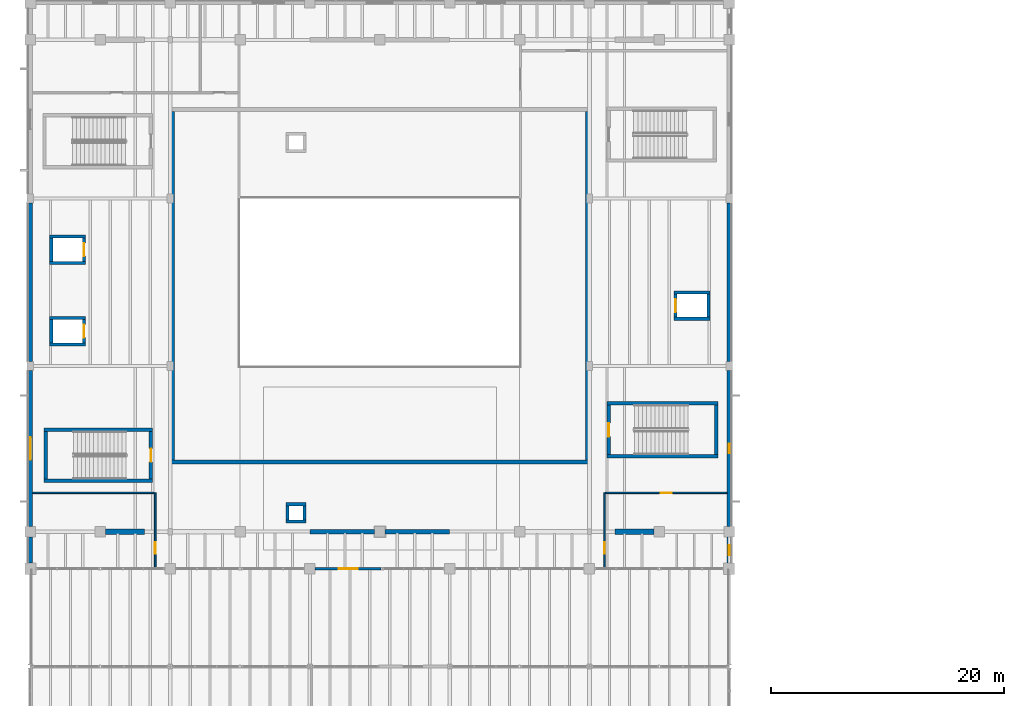
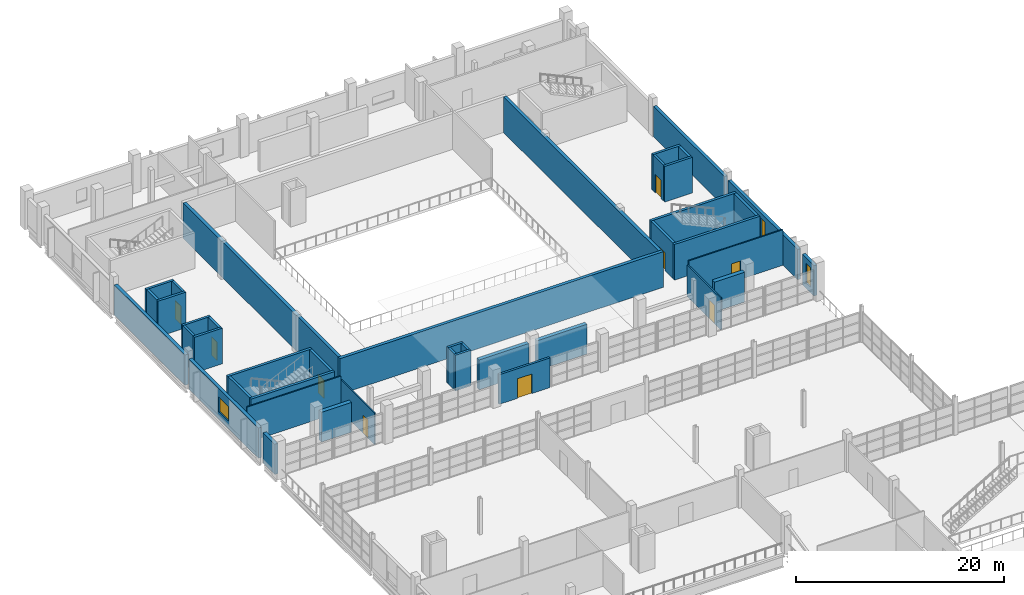
# One storey, part 92 of 114: 42 walls, 9 doors, 3 windows, 12 openings.
"""IFC4 building model written with IfcOpenShell, lengths in metres."""

import ifcopenshell
import ifcopenshell.guid

model = None  # the IFC model being written
_history = None  # IfcOwnerHistory: only IFC2X3 demands one
_inside = {}  # id of a spatial element -> (the spatial element, [elements in it])
_under = {}  # id of a project, library or spatial element -> (it, [spatial elements below it])
_declared = {}  # id of a project -> (the project, [libraries it declares])
_typed = {}  # id of a type object -> (the type object, [elements of that type])
_made_of = {}  # id of a material, layer set ... -> (it, [elements and type objects made of it])


def new_model(schema):
    """Start an empty IFC model of exactly this schema.

    Asked for "IFC4X3", IfcOpenShell would pick the latest addendum, in which some entities
    have other attributes; the version numbers below select the first issue.
    IFC2X3 requires an IfcOwnerHistory on every rooted entity: one is made here for all.
    """
    global model, _history
    if schema == "IFC4X3":
        model = ifcopenshell.file(schema_version=(4, 3, 0, 0))
    else:
        model = ifcopenshell.file(schema=schema)
    _inside.clear()
    _under.clear()
    _declared.clear()
    _typed.clear()
    _made_of.clear()
    _history = None
    if model.schema == "IFC2X3":
        org = make("IfcOrganization", Name="unknown")
        user = make(
            "IfcPersonAndOrganization",
            ThePerson=make("IfcPerson", FamilyName="unknown"),
            TheOrganization=org,
        )
        app = make(
            "IfcApplication",
            ApplicationDeveloper=org,
            Version="unknown",
            ApplicationFullName="unknown",
            ApplicationIdentifier="unknown",
        )
        _history = make(
            "IfcOwnerHistory",
            OwningUser=user,
            OwningApplication=app,
            ChangeAction="ADDED",
            CreationDate=0,
        )
    return model


def make(cls, **values):
    """One entity of the class cls with the attributes given. An attribute that is None is left unset."""
    return model.create_entity(
        cls, **{name: value for name, value in values.items() if value is not None}
    )


def rooted(cls, **values):
    """An entity with a GlobalId (a new one), such as an element, a storey or a relation."""
    return make(cls, GlobalId=ifcopenshell.guid.new(), OwnerHistory=_history, **values)


def si_unit(unit_type, name, prefix=None):
    """IfcSIUnit, for example si_unit("LENGTHUNIT", "METRE", prefix="MILLI")."""
    return make("IfcSIUnit", UnitType=unit_type, Prefix=prefix, Name=name)


def assignment(units):
    """IfcUnitAssignment: the units of a project."""
    return None if units is None else make("IfcUnitAssignment", Units=units)


def point(xyz):
    """IfcCartesianPoint."""
    return None if xyz is None else make("IfcCartesianPoint", Coordinates=xyz)


def direction(xyz):
    """IfcDirection."""
    return None if xyz is None else make("IfcDirection", DirectionRatios=xyz)


def frame(location, z_axis=None, x_axis=None):
    """IfcAxis2Placement3D, a coordinate frame: its origin and axes. An axis left out is left unset."""
    return make(
        "IfcAxis2Placement3D",
        Location=point(location),
        Axis=direction(z_axis),
        RefDirection=direction(x_axis),
    )


def frame_2d(location, x_axis=None):
    """IfcAxis2Placement2D, a coordinate frame in the plane: its origin and x axis."""
    return make(
        "IfcAxis2Placement2D", Location=point(location), RefDirection=direction(x_axis)
    )


def origin():
    """The frame at (0, 0, 0) with its axes left unset."""
    return frame((0.0, 0.0, 0.0))


def place(relative_to, where):
    """IfcLocalPlacement: puts the frame where relative to a parent placement (None: the world)."""
    return make(
        "IfcLocalPlacement", PlacementRelTo=relative_to, RelativePlacement=where
    )


def context(
    kind, dimensions, precision=None, world=None, true_north=None, identifier=None
):
    """IfcGeometricRepresentationContext, for example the 3D "Model" context."""
    return make(
        "IfcGeometricRepresentationContext",
        ContextIdentifier=identifier,
        ContextType=kind,
        CoordinateSpaceDimension=dimensions,
        Precision=precision,
        WorldCoordinateSystem=world,
        TrueNorth=true_north,
    )


def subcontext(parent, identifier, kind, view, scale=None):
    """IfcGeometricRepresentationSubContext, for example "Body" below "Model"."""
    return make(
        "IfcGeometricRepresentationSubContext",
        ContextIdentifier=identifier,
        ContextType=kind,
        ParentContext=parent,
        TargetScale=scale,
        TargetView=view,
    )


def project(units=None, contexts=None):
    """IfcProject with its units and contexts."""
    return rooted(
        "IfcProject",
        Name="project",
        RepresentationContexts=contexts,
        UnitsInContext=assignment(units),
    )


def spatial(cls, under=None, at=None, **own):
    """A site, building, storey or space (cls), placed at a placement, below another one or the project."""
    s = rooted(cls, ObjectPlacement=at, **own)
    if under is not None:
        _under.setdefault(under.id(), (under, []))[1].append(s)
    return s


def profile(cls, at=None, kind="AREA", **sizes):
    """A parametric profile (cls). Its sizes go by their IFC names, for example OverallWidth=200.0."""
    return make(cls, ProfileType=kind, Position=at, **sizes)


def rectangle(**sizes):
    """IfcRectangleProfileDef."""
    return profile("IfcRectangleProfileDef", **sizes)


def extrude(swept, where, along, depth):
    """IfcExtrudedAreaSolid: the profile swept, set in the frame where, extruded along a direction by depth."""
    return make(
        "IfcExtrudedAreaSolid",
        SweptArea=swept,
        Position=where,
        ExtrudedDirection=direction(along),
        Depth=depth,
    )


def shape(context_of_items, identifier, shape_type, items):
    """IfcShapeRepresentation: the items that make up one representation, for example the "Body"."""
    return make(
        "IfcShapeRepresentation",
        ContextOfItems=context_of_items,
        RepresentationIdentifier=identifier,
        RepresentationType=shape_type,
        Items=items,
    )


def material(Name=None, Category=None):
    """IfcMaterial."""
    return make("IfcMaterial", Name=Name, Category=Category)


def layer(
    of_material, thickness, ventilated=None, Name=None, Category=None, Priority=None
):
    """IfcMaterialLayer: one layer of a wall or slab, of a material (None: an air gap)."""
    return make(
        "IfcMaterialLayer",
        Material=of_material,
        LayerThickness=thickness,
        IsVentilated=ventilated,
        Name=Name,
        Category=Category,
        Priority=Priority,
    )


def layer_set(layers, Name=None):
    """IfcMaterialLayerSet."""
    return make("IfcMaterialLayerSet", MaterialLayers=layers, LayerSetName=Name)


def made_of(thing, what):
    """Note that an element or type object is made of a material, layer set ...; save() writes the relation."""
    if what is not None:
        _made_of.setdefault(what.id(), (what, []))[1].append(thing)
    return thing


def type_object(cls, material=None, **own):
    """A type object (cls), such as IfcWallType, which elements share."""
    return made_of(rooted(cls, **own), material)


def element(
    cls,
    number,
    at=None,
    inside=None,
    cuts=None,
    type_object=None,
    material=None,
    context=None,
    identifier="Body",
    shape_type=None,
    held_by="IfcProductDefinitionShape",
    body=None,
    shapes=None,
    **own,
):
    """One element of the class cls, such as IfcWall. Its Tag is "e" and its number.

    at: its placement. inside: the storey or other place that contains it. cuts: it is an
    opening in that element (IfcRelVoidsElement). A single representation is given by context,
    identifier, shape_type and body (its items); several are given by shapes. held_by: the class
    of the entity that holds the representations. save() writes the other relations.
    """
    e = rooted(cls, Tag="e%d" % number, ObjectPlacement=at, **own)
    if body is not None:
        shapes = [shape(context, identifier, shape_type, body)]
    if shapes is not None:
        e.Representation = make(held_by, Representations=shapes)
    if inside is not None:
        _inside.setdefault(inside.id(), (inside, []))[1].append(e)
    if cuts is not None:
        rooted(
            "IfcRelVoidsElement", RelatingBuildingElement=cuts, RelatedOpeningElement=e
        )
    if type_object is not None:
        _typed.setdefault(type_object.id(), (type_object, []))[1].append(e)
    return made_of(e, material)


def fill(opening, filler):
    """IfcRelFillsElement: the door or window that sits in an opening."""
    return rooted(
        "IfcRelFillsElement",
        RelatingOpeningElement=opening,
        RelatedBuildingElement=filler,
    )


def aggregate(whole, parts):
    """IfcRelAggregates: a whole, such as a stair, and the parts it consists of."""
    return rooted("IfcRelAggregates", RelatingObject=whole, RelatedObjects=parts)


def save(model, path):
    """Write the relations noted so far, then the file.

    IfcRelAggregates (storeys below a building ...), IfcRelContainedInSpatialStructure (elements
    in a storey), IfcRelDefinesByType, IfcRelAssociatesMaterial and IfcRelDeclares: one each for
    every whole, place, type object, material and project.
    """
    for whole, parts in _under.values():
        aggregate(whole, parts)
    for where, things in _inside.values():
        rooted(
            "IfcRelContainedInSpatialStructure",
            RelatedElements=things,
            RelatingStructure=where,
        )
    for kind, things in _typed.values():
        rooted("IfcRelDefinesByType", RelatedObjects=things, RelatingType=kind)
    for what, things in _made_of.values():
        rooted("IfcRelAssociatesMaterial", RelatedObjects=things, RelatingMaterial=what)
    for by, libraries in _declared.values():
        rooted("IfcRelDeclares", RelatingContext=by, RelatedDefinitions=libraries)
    model.write(path)


model = new_model("IFC4")

# Units and contexts
model_context = context("Model", 3, precision=1e-05, world=origin(), true_north=direction((0.0, 1.0)))
body_context = subcontext(model_context, "Body", "Model", "MODEL_VIEW")
ifc_project = project(units=[si_unit("LENGTHUNIT", "METRE"), si_unit("AREAUNIT", "SQUARE_METRE"), si_unit("VOLUMEUNIT", "CUBIC_METRE"), si_unit("PLANEANGLEUNIT", "RADIAN"), si_unit("MASSUNIT", "GRAM", prefix="KILO")], contexts=[model_context])

# Site, building, storey
site_placement = place(None, origin())
site = spatial("IfcSite", under=ifc_project, at=site_placement, CompositionType="ELEMENT")
building_placement = place(site_placement, origin())
building = spatial("IfcBuilding", under=site, at=building_placement, Name="Kelmvaro Bay Concert Hall", CompositionType="ELEMENT")
storey_placement = place(building_placement, frame((0.0, 0.0, 4.800048828125)))
storey = spatial("IfcBuildingStorey", under=building, at=storey_placement, Name="L01", CompositionType="ELEMENT", Elevation=4.800048828125)

# Wall, opening, door
ifc_material_1 = material(Name="Acoustic Gypsum Board on Galvanised Steel Studs", Category="steel")
ifc_layer_1 = layer(ifc_material_1, 0.139892578125)
ifc_layer_set_1 = layer_set([ifc_layer_1], Name="Acoustic Gypsum Board on Galvanised Steel Studs")
wall_type_1 = type_object("IfcWallType", Name="Dressing Suite Acoustic Partition 140", PredefinedType="PARTITIONING", material=ifc_layer_set_1)
wall_1_placement = place(storey_placement, frame((10.719970703125, 65.449951171875, 0.0), z_axis=(0.0, 0.0, 1.0), x_axis=(0.0, 1.0, 0.0)))
wall_1 = element("IfcWall", 1, at=wall_1_placement, inside=storey, type_object=wall_type_1, Name="L01 Interior Partition PT-L01-0129", PredefinedType="PARTITIONING", context=body_context, shape_type="SweptSolid", body=[
    extrude(rectangle(XDim=6.47509765625, YDim=0.139892578125, at=frame_2d((3.237548828125, 0.0))), origin(), (0.0, 0.0, 1.0), 3.718017578125),
])
opening_1_placement = place(wall_1_placement, frame((1.23046875, 0.0, 0.0)))
opening_1 = element("IfcOpeningElement", 2, at=opening_1_placement, cuts=wall_1, Name="Opening ID-DR2", PredefinedType="OPENING", context=body_context, shape_type="SweptSolid", body=[
    extrude(rectangle(XDim=0.97998046875, YDim=2.159912109375, at=frame_2d((0.489990234375, 1.080078125))), frame((0.0, 0.079833984375, 0.0), z_axis=(0.0, -1.0, 0.0), x_axis=(1.0, 0.0, 0.0)), (0.0, 0.0, 1.0), 0.159912109375),
])
ifc_material_2 = material(Name="Stained Maple Solid Core Wood", Category="wood")
door_type_1 = type_object("IfcDoorType", Name="Soloist Suite Entrance Door 980x2160", OperationType="NOTDEFINED", PredefinedType="DOOR", material=ifc_material_2)
door_1_placement = place(opening_1_placement, origin())
door_1 = element("IfcDoor", 3, at=door_1_placement, inside=storey, type_object=door_type_1, Name="L01 Interior Door DR-INT-L01-0081", OperationType="SINGLE_SWING_LEFT", OverallHeight=2.159912109375, OverallWidth=0.97998046875, PredefinedType="DOOR", context=body_context, shape_type="SweptSolid", body=[
    extrude(rectangle(XDim=0.97998046875, YDim=2.159912109375, at=frame_2d((0.489990234375, 1.080078125))), frame((0.0, 0.02490234375, 0.0), z_axis=(0.0, -1.0, 0.0), x_axis=(1.0, 0.0, 0.0)), (0.0, 0.0, 1.0), 0.050048828125),
])
fill(opening_1, door_1)

wall_2_placement = place(storey_placement, frame((49.280029296875, 65.449951171875, 0.0), z_axis=(0.0, 0.0, 1.0), x_axis=(0.0, 1.0, 0.0)))
wall_2 = element("IfcWall", 4, at=wall_2_placement, inside=storey, type_object=wall_type_1, Name="L01 Interior Partition PT-L01-0130", PredefinedType="PARTITIONING", context=body_context, shape_type="SweptSolid", body=[
    extrude(rectangle(XDim=6.47509765625, YDim=0.139892578125, at=frame_2d((3.237548828125, 0.0))), origin(), (0.0, 0.0, 1.0), 3.718017578125),
])
opening_2_placement = place(wall_2_placement, frame((1.23046875, 0.0, 0.0)))
opening_2 = element("IfcOpeningElement", 5, at=opening_2_placement, cuts=wall_2, Name="Opening ID-DR2", PredefinedType="OPENING", context=body_context, shape_type="SweptSolid", body=[
    extrude(rectangle(XDim=0.97998046875, YDim=2.159912109375, at=frame_2d((0.489990234375, 1.080078125))), frame((0.0, 0.079833984375, 0.0), z_axis=(0.0, -1.0, 0.0), x_axis=(1.0, 0.0, 0.0)), (0.0, 0.0, 1.0), 0.159912109375),
])
door_2_placement = place(opening_2_placement, origin())
door_2 = element("IfcDoor", 6, at=door_2_placement, inside=storey, type_object=door_type_1, Name="L01 Interior Door DR-INT-L01-0082", OperationType="SINGLE_SWING_RIGHT", OverallHeight=2.159912109375, OverallWidth=0.97998046875, PredefinedType="DOOR", context=body_context, shape_type="SweptSolid", body=[
    extrude(rectangle(XDim=0.97998046875, YDim=2.159912109375, at=frame_2d((0.489990234375, 1.080078125))), frame((0.0, 0.02490234375, 0.0), z_axis=(0.0, -1.0, 0.0), x_axis=(1.0, 0.0, 0.0)), (0.0, 0.0, 1.0), 0.050048828125),
])
fill(opening_2, door_2)

# Wall
wall_3_placement = place(storey_placement, frame((0.18994140625, 71.919921875, 0.0), z_axis=(0.0, 0.0, 1.0), x_axis=(1.0, 0.0, 0.0)))
element("IfcWall", 7, at=wall_3_placement, inside=storey, type_object=wall_type_1, Name="L01 Interior Partition PT-L01-0139", PredefinedType="PARTITIONING", context=body_context, shape_type="SweptSolid", body=[
    extrude(rectangle(XDim=10.449951171875, YDim=0.139892578125, at=frame_2d((5.22509765625, 0.0))), origin(), (0.0, 0.0, 1.0), 4.179931640625),
])

# Wall, opening, door
wall_4_placement = place(storey_placement, frame((49.360107421875, 71.919921875, 0.0), z_axis=(0.0, 0.0, 1.0), x_axis=(1.0, 0.0, 0.0)))
wall_4 = element("IfcWall", 8, at=wall_4_placement, inside=storey, type_object=wall_type_1, Name="L01 Interior Partition PT-L01-0143", PredefinedType="PARTITIONING", context=body_context, shape_type="SweptSolid", body=[
    extrude(rectangle(XDim=10.4599609375, YDim=0.139892578125, at=frame_2d((5.22998046875, 0.0))), origin(), (0.0, 0.0, 1.0), 4.179931640625),
])
opening_3_placement = place(wall_4_placement, frame((4.739990234375, 0.0, 0.0)))
opening_3 = element("IfcOpeningElement", 9, at=opening_3_placement, cuts=wall_4, Name="Opening ID-DR2", PredefinedType="OPENING", context=body_context, shape_type="SweptSolid", body=[
    extrude(rectangle(XDim=0.97998046875, YDim=2.159912109375, at=frame_2d((0.489990234375, 1.080078125))), frame((0.0, 0.079833984375, 0.0), z_axis=(0.0, -1.0, 0.0), x_axis=(1.0, 0.0, 0.0)), (0.0, 0.0, 1.0), 0.159912109375),
])
door_3_placement = place(opening_3_placement, origin())
door_3 = element("IfcDoor", 10, at=door_3_placement, inside=storey, type_object=door_type_1, Name="L01 Interior Door DR-INT-L01-0086", OperationType="SINGLE_SWING_RIGHT", OverallHeight=2.159912109375, OverallWidth=0.97998046875, PredefinedType="DOOR", context=body_context, shape_type="SweptSolid", body=[
    extrude(rectangle(XDim=0.97998046875, YDim=2.159912109375, at=frame_2d((0.489990234375, 1.080078125))), frame((0.0, 0.02490234375, 0.0), z_axis=(0.0, -1.0, 0.0), x_axis=(1.0, 0.0, 0.0)), (0.0, 0.0, 1.0), 0.050048828125),
])
fill(opening_3, door_3)

# Walls
ifc_material_3 = material(Name="Concrete C40/50", Category="concrete")
ifc_layer_2 = layer(ifc_material_3, 0.35009765625)
ifc_layer_set_2 = layer_set([ifc_layer_2], Name="Concrete C40/50")
wall_type_2 = type_object("IfcWallType", Name="Inner Floating Box Shear Wall 350", PredefinedType="SHEAR", material=ifc_layer_set_2)
wall_5_placement = place(storey_placement, frame((12.0048828125, 74.580078125, 0.0), z_axis=(0.0, 0.0, 1.0), x_axis=(1.0, 0.0, 0.0)))
element("IfcWall", 11, at=wall_5_placement, inside=storey, type_object=wall_type_2, Name="L01 V1 Acoustic Inner Box Wall S", PredefinedType="SHEAR", context=body_context, shape_type="SweptSolid", body=[
    extrude(rectangle(XDim=35.990234375, YDim=0.35009765625, at=frame_2d((17.9951171875, 0.0))), origin(), (0.0, 0.0, 1.0), 4.199951171875),
])
for number, where, z_axis, x_axis, name in (
    (12, (12.179931640625, 74.7548828125, 0.0), (0.0, 0.0, 1.0), (0.0, 1.0, 0.0), "L01 V1 Acoustic Inner Box Wall W"),
    (13, (47.820068359375, 74.7548828125, 0.0), (0.0, 0.0, 1.0), (0.0, 1.0, 0.0), "L01 V1 Acoustic Inner Box Wall E"),
):
    element("IfcWall", number, at=place(storey_placement, frame(where, z_axis=z_axis, x_axis=x_axis)), inside=storey, type_object=wall_type_2, Name=name, PredefinedType="SHEAR", context=body_context, shape_type="SweptSolid", body=[
        extrude(rectangle(XDim=29.89013671875, YDim=0.35009765625, at=frame_2d((14.945068359375, 0.0))), origin(), (0.0, 0.0, 1.0), 4.199951171875),
    ])

# Wall, opening, window
ifc_material_4 = material(Name="Precast Concrete C40/50", Category="concrete")
ifc_layer_3 = layer(ifc_material_4, 0.340087890625)
ifc_layer_set_3 = layer_set([ifc_layer_3], Name="Precast Concrete C40/50")
wall_type_3 = type_object("IfcWallType", Name="Main Hall Faceted Precast Wall 340", PredefinedType="SOLIDWALL", material=ifc_layer_set_3)
wall_6_placement = place(storey_placement, frame((60.0, 82.425048828125, 0.0), z_axis=(0.0, 0.0, 1.0), x_axis=(0.0, -1.0, 0.0)))
wall_6 = element("IfcWall", 14, at=wall_6_placement, inside=storey, type_object=wall_type_3, Name="L01 Exterior Wall EW-L01-0026", PredefinedType="SOLIDWALL", context=body_context, shape_type="SweptSolid", body=[
    extrude(rectangle(XDim=13.39501953125, YDim=0.340087890625, at=frame_2d((6.697509765625, 0.0))), origin(), (0.0, 0.0, 1.0), 3.56884765625),
])
opening_4_placement = place(wall_6_placement, frame((6.2724609375, 0.0, 0.60009765625)))
opening_4 = element("IfcOpeningElement", 15, at=opening_4_placement, cuts=wall_6, Name="Opening WN-13", PredefinedType="OPENING", context=body_context, shape_type="SweptSolid", body=[
    extrude(rectangle(XDim=0.85009765625, YDim=2.35009765625, at=frame_2d((0.425048828125, 1.175048828125))), frame((0.0, 0.179931640625, 0.0), z_axis=(0.0, -1.0, 0.0), x_axis=(1.0, 0.0, 0.0)), (0.0, 0.0, 1.0), 0.360107421875),
])
ifc_material_5 = material(Name="Thermally Broken Aluminium and Acoustic Low-E Glass", Category="aluminium")
window_type_1 = type_object("IfcWindowType", Name="Salon Vertical Slot Window 850x2350", PartitioningType="SINGLE_PANEL", PredefinedType="WINDOW", material=ifc_material_5)
window_1_placement = place(opening_4_placement, origin())
window_1 = element("IfcWindow", 16, at=window_1_placement, inside=storey, type_object=window_type_1, Name="L01 Facade Window WN-L01-0013", OverallHeight=2.35009765625, OverallWidth=0.85009765625, PartitioningType="SINGLE_PANEL", PredefinedType="WINDOW", context=body_context, shape_type="SweptSolid", body=[
    extrude(rectangle(XDim=0.85009765625, YDim=2.35009765625, at=frame_2d((0.425048828125, 1.175048828125))), frame((0.0, 0.030029296875, 0.0), z_axis=(0.0, -1.0, 0.0), x_axis=(1.0, 0.0, 0.0)), (0.0, 0.0, 1.0), 0.06005859375),
])
fill(opening_4, window_1)

wall_7_placement = place(storey_placement, frame((60.0, 68.1298828125, 0.0), z_axis=(0.0, 0.0, 1.0), x_axis=(0.0, -1.0, 0.0)))
wall_7 = element("IfcWall", 17, at=wall_7_placement, inside=storey, type_object=wall_type_3, Name="L01 Exterior Wall EW-L01-0027", PredefinedType="SOLIDWALL", context=body_context, shape_type="SweptSolid", body=[
    extrude(rectangle(XDim=2.2548828125, YDim=0.340087890625, at=frame_2d((1.12744140625, 0.0))), origin(), (0.0, 0.0, 1.0), 3.56787109375),
])
opening_5_placement = place(wall_7_placement, frame((0.702392578125, 0.0, 0.60009765625)))
opening_5 = element("IfcOpeningElement", 18, at=opening_5_placement, cuts=wall_7, Name="Opening WN-13", PredefinedType="OPENING", context=body_context, shape_type="SweptSolid", body=[
    extrude(rectangle(XDim=0.85009765625, YDim=2.35009765625, at=frame_2d((0.425048828125, 1.175048828125))), frame((0.0, 0.179931640625, 0.0), z_axis=(0.0, -1.0, 0.0), x_axis=(1.0, 0.0, 0.0)), (0.0, 0.0, 1.0), 0.360107421875),
])
window_2_placement = place(opening_5_placement, origin())
window_2 = element("IfcWindow", 19, at=window_2_placement, inside=storey, type_object=window_type_1, Name="L01 Facade Window WN-L01-0014", OverallHeight=2.35009765625, OverallWidth=0.85009765625, PartitioningType="SINGLE_PANEL", PredefinedType="WINDOW", context=body_context, shape_type="SweptSolid", body=[
    extrude(rectangle(XDim=0.85009765625, YDim=2.35009765625, at=frame_2d((0.425048828125, 1.175048828125))), frame((0.0, 0.030029296875, 0.0), z_axis=(0.0, -1.0, 0.0), x_axis=(1.0, 0.0, 0.0)), (0.0, 0.0, 1.0), 0.06005859375),
])
fill(opening_5, window_2)

# Walls
wall_8_placement = place(storey_placement, frame((60.0, 96.824951171875, 0.0), z_axis=(0.0, 0.0, 1.0), x_axis=(0.0, -1.0, 0.0)))
element("IfcWall", 20, at=wall_8_placement, inside=storey, type_object=wall_type_3, Name="L01 Exterior Wall EW-L01-0028", PredefinedType="SOLIDWALL", context=body_context, shape_type="SweptSolid", body=[
    extrude(rectangle(XDim=13.64990234375, YDim=0.340087890625, at=frame_2d((6.824951171875, 0.0))), origin(), (0.0, 0.0, 1.0), 3.56884765625),
])
ifc_material_6 = material(Name="Concrete C40/50", Category="concrete")
ifc_layer_4 = layer(ifc_material_6, 0.449951171875)
ifc_layer_set_4 = layer_set([ifc_layer_4], Name="Concrete C40/50")
wall_type_4 = type_object("IfcWallType", Name="Outer Acoustic Box Shear Wall 450", PredefinedType="SHEAR", material=ifc_layer_set_4)
for number, where, z_axis, x_axis, name in (
    (21, (6.449951171875, 68.580078125, 0.0), (0.0, 0.0, 1.0), (1.0, 0.0, 0.0), "L01 Shell Springing Shear Wall S1"),
    (22, (50.199951171875, 68.580078125, 0.0), (0.0, 0.0, 1.0), (1.0, 0.0, 0.0), "L01 Shell Springing Shear Wall S4"),
):
    element("IfcWall", number, at=place(storey_placement, frame(where, z_axis=z_axis, x_axis=x_axis)), inside=storey, type_object=wall_type_4, Name=name, PredefinedType="SHEAR", context=body_context, shape_type="SweptSolid", body=[
        extrude(rectangle(XDim=3.35009765625, YDim=0.449951171875, at=frame_2d((1.675048828125, 0.0))), origin(), (0.0, 0.0, 1.0), 3.5048828125),
    ])
ifc_material_7 = material(Name="Concrete C40/50", Category="concrete")
ifc_layer_5 = layer(ifc_material_7, 0.27001953125)
ifc_layer_set_5 = layer_set([ifc_layer_5], Name="Concrete C40/50")
wall_type_5 = type_object("IfcWallType", Name="Secondary Shaft Shear Wall 270", PredefinedType="SHEAR", material=ifc_layer_set_5)
for number, where, z_axis, x_axis, name in (
    (23, (21.929931640625, 69.465087890625, 0.0), (0.0, 0.0, 1.0), (1.0, 0.0, 0.0), "L01 Service Riser Shaft Wall 057-S"),
    (24, (21.929931640625, 70.93505859375, 0.0), (0.0, 0.0, 1.0), (1.0, 0.0, 0.0), "L01 Service Riser Shaft Wall 058-N"),
):
    element("IfcWall", number, at=place(storey_placement, frame(where, z_axis=z_axis, x_axis=x_axis)), inside=storey, type_object=wall_type_5, Name=name, PredefinedType="SHEAR", context=body_context, shape_type="SweptSolid", body=[
        extrude(rectangle(XDim=1.739990234375, YDim=0.27001953125, at=frame_2d((0.8701171875, 0.0))), origin(), (0.0, 0.0, 1.0), 4.199951171875),
    ])
for number, where, z_axis, x_axis, name in (
    (25, (22.06494140625, 69.60009765625, 0.0), (0.0, 0.0, 1.0), (0.0, 1.0, 0.0), "L01 Service Riser Shaft Wall 059-W"),
    (26, (23.534912109375, 69.60009765625, 0.0), (0.0, 0.0, 1.0), (0.0, 1.0, 0.0), "L01 Service Riser Shaft Wall 060-E"),
):
    element("IfcWall", number, at=place(storey_placement, frame(where, z_axis=z_axis, x_axis=x_axis)), inside=storey, type_object=wall_type_5, Name=name, PredefinedType="SHEAR", context=body_context, shape_type="SweptSolid", body=[
        extrude(rectangle(XDim=1.199951171875, YDim=0.27001953125, at=frame_2d((0.60009765625, 0.0))), origin(), (0.0, 0.0, 1.0), 4.199951171875),
    ])
for number, where, z_axis, x_axis, name in (
    (27, (1.655029296875, 84.6650390625, 0.0), (0.0, 0.0, 1.0), (1.0, 0.0, 0.0), "L01 LF-01 Lift Shaft Wall S"),
    (28, (1.655029296875, 86.93505859375, 0.0), (0.0, 0.0, 1.0), (1.0, 0.0, 0.0), "L01 LF-01 Lift Shaft Wall N"),
):
    element("IfcWall", number, at=place(storey_placement, frame(where, z_axis=z_axis, x_axis=x_axis)), inside=storey, type_object=wall_type_5, Name=name, PredefinedType="SHEAR", context=body_context, shape_type="SweptSolid", body=[
        extrude(rectangle(XDim=3.090087890625, YDim=0.27001953125, at=frame_2d((1.544921875, 0.0))), origin(), (0.0, 0.0, 1.0), 4.199951171875),
    ])
wall_9_placement = place(storey_placement, frame((1.7900390625, 84.800048828125, 0.0), z_axis=(0.0, 0.0, 1.0), x_axis=(0.0, 1.0, 0.0)))
element("IfcWall", 29, at=wall_9_placement, inside=storey, type_object=wall_type_5, Name="L01 LF-01 Lift Shaft Wall W", PredefinedType="SHEAR", context=body_context, shape_type="SweptSolid", body=[
    extrude(rectangle(XDim=2.0, YDim=0.27001953125, at=frame_2d((1.0, 0.0))), origin(), (0.0, 0.0, 1.0), 4.199951171875),
])

# Wall, opening, door
wall_10_placement = place(storey_placement, frame((4.610107421875, 84.800048828125, 0.0), z_axis=(0.0, 0.0, 1.0), x_axis=(0.0, 1.0, 0.0)))
wall_10 = element("IfcWall", 30, at=wall_10_placement, inside=storey, type_object=wall_type_5, Name="L01 LF-01 Lift Shaft Wall E", PredefinedType="SHEAR", context=body_context, shape_type="SweptSolid", body=[
    extrude(rectangle(XDim=2.0, YDim=0.27001953125, at=frame_2d((1.0, 0.0))), origin(), (0.0, 0.0, 1.0), 4.199951171875),
])
opening_6_placement = place(wall_10_placement, frame((0.43994140625, 0.0, 0.0)))
opening_6 = element("IfcOpeningElement", 31, at=opening_6_placement, cuts=wall_10, Name="Opening LD-112", PredefinedType="OPENING", context=body_context, shape_type="SweptSolid", body=[
    extrude(rectangle(XDim=1.1201171875, YDim=2.14990234375, at=frame_2d((0.56005859375, 1.074951171875))), frame((0.0, 0.14501953125, 0.0), z_axis=(0.0, -1.0, 0.0), x_axis=(1.0, 0.0, 0.0)), (0.0, 0.0, 1.0), 0.2900390625),
])
ifc_material_8 = material(Name="Brushed Stainless Steel 316", Category="steel")
door_type_2 = type_object("IfcDoorType", Name="Passenger Lift Sliding Landing Door 1120x2150", OperationType="NOTDEFINED", PredefinedType="DOOR", material=ifc_material_8)
door_4_placement = place(opening_6_placement, origin())
door_4 = element("IfcDoor", 32, at=door_4_placement, inside=storey, type_object=door_type_2, Name="L01 Lift Landing Door LF-01", OperationType="SLIDING_TO_LEFT", OverallHeight=2.14990234375, OverallWidth=1.1201171875, PredefinedType="DOOR", context=body_context, shape_type="SweptSolid", body=[
    extrude(rectangle(XDim=1.1201171875, YDim=2.14990234375, at=frame_2d((0.56005859375, 1.074951171875))), frame((0.0, 0.02490234375, 0.0), z_axis=(0.0, -1.0, 0.0), x_axis=(1.0, 0.0, 0.0)), (0.0, 0.0, 1.0), 0.050048828125),
])
fill(opening_6, door_4)

# Walls
for number, where, z_axis, x_axis, name in (
    (33, (1.655029296875, 91.6650390625, 0.0), (0.0, 0.0, 1.0), (1.0, 0.0, 0.0), "L01 LF-02 Lift Shaft Wall S"),
    (34, (1.655029296875, 93.93505859375, 0.0), (0.0, 0.0, 1.0), (1.0, 0.0, 0.0), "L01 LF-02 Lift Shaft Wall N"),
):
    element("IfcWall", number, at=place(storey_placement, frame(where, z_axis=z_axis, x_axis=x_axis)), inside=storey, type_object=wall_type_5, Name=name, PredefinedType="SHEAR", context=body_context, shape_type="SweptSolid", body=[
        extrude(rectangle(XDim=3.090087890625, YDim=0.27001953125, at=frame_2d((1.544921875, 0.0))), origin(), (0.0, 0.0, 1.0), 4.199951171875),
    ])
wall_11_placement = place(storey_placement, frame((1.7900390625, 91.800048828125, 0.0), z_axis=(0.0, 0.0, 1.0), x_axis=(0.0, 1.0, 0.0)))
element("IfcWall", 35, at=wall_11_placement, inside=storey, type_object=wall_type_5, Name="L01 LF-02 Lift Shaft Wall W", PredefinedType="SHEAR", context=body_context, shape_type="SweptSolid", body=[
    extrude(rectangle(XDim=2.0, YDim=0.27001953125, at=frame_2d((1.0, 0.0))), origin(), (0.0, 0.0, 1.0), 4.199951171875),
])

# Wall, opening, door
wall_12_placement = place(storey_placement, frame((4.610107421875, 91.800048828125, 0.0), z_axis=(0.0, 0.0, 1.0), x_axis=(0.0, 1.0, 0.0)))
wall_12 = element("IfcWall", 36, at=wall_12_placement, inside=storey, type_object=wall_type_5, Name="L01 LF-02 Lift Shaft Wall E", PredefinedType="SHEAR", context=body_context, shape_type="SweptSolid", body=[
    extrude(rectangle(XDim=2.0, YDim=0.27001953125, at=frame_2d((1.0, 0.0))), origin(), (0.0, 0.0, 1.0), 4.199951171875),
])
opening_7_placement = place(wall_12_placement, frame((0.43994140625, 0.0, 0.0)))
opening_7 = element("IfcOpeningElement", 37, at=opening_7_placement, cuts=wall_12, Name="Opening LD-112", PredefinedType="OPENING", context=body_context, shape_type="SweptSolid", body=[
    extrude(rectangle(XDim=1.1201171875, YDim=2.14990234375, at=frame_2d((0.56005859375, 1.074951171875))), frame((0.0, 0.14501953125, 0.0), z_axis=(0.0, -1.0, 0.0), x_axis=(1.0, 0.0, 0.0)), (0.0, 0.0, 1.0), 0.2900390625),
])
door_5_placement = place(opening_7_placement, origin())
door_5 = element("IfcDoor", 38, at=door_5_placement, inside=storey, type_object=door_type_2, Name="L01 Lift Landing Door LF-02", OperationType="SLIDING_TO_LEFT", OverallHeight=2.14990234375, OverallWidth=1.1201171875, PredefinedType="DOOR", context=body_context, shape_type="SweptSolid", body=[
    extrude(rectangle(XDim=1.1201171875, YDim=2.14990234375, at=frame_2d((0.56005859375, 1.074951171875))), frame((0.0, 0.02490234375, 0.0), z_axis=(0.0, -1.0, 0.0), x_axis=(1.0, 0.0, 0.0)), (0.0, 0.0, 1.0), 0.050048828125),
])
fill(opening_7, door_5)

# Walls
for number, where, z_axis, x_axis, name in (
    (39, (55.2548828125, 86.864990234375, 0.0), (0.0, 0.0, 1.0), (1.0, 0.0, 0.0), "L01 LF-03 Lift Shaft Wall S"),
    (40, (55.2548828125, 89.135009765625, 0.0), (0.0, 0.0, 1.0), (1.0, 0.0, 0.0), "L01 LF-03 Lift Shaft Wall N"),
):
    element("IfcWall", number, at=place(storey_placement, frame(where, z_axis=z_axis, x_axis=x_axis)), inside=storey, type_object=wall_type_5, Name=name, PredefinedType="SHEAR", context=body_context, shape_type="SweptSolid", body=[
        extrude(rectangle(XDim=3.090087890625, YDim=0.27001953125, at=frame_2d((1.544921875, 0.0))), origin(), (0.0, 0.0, 1.0), 4.199951171875),
    ])

# Wall, opening, door
wall_13_placement = place(storey_placement, frame((55.389892578125, 87.0, 0.0), z_axis=(0.0, 0.0, 1.0), x_axis=(0.0, 1.0, 0.0)))
wall_13 = element("IfcWall", 41, at=wall_13_placement, inside=storey, type_object=wall_type_5, Name="L01 LF-03 Lift Shaft Wall W", PredefinedType="SHEAR", context=body_context, shape_type="SweptSolid", body=[
    extrude(rectangle(XDim=2.0, YDim=0.27001953125, at=frame_2d((1.0, 0.0))), origin(), (0.0, 0.0, 1.0), 4.199951171875),
])
opening_8_placement = place(wall_13_placement, frame((0.43994140625, 0.0, 0.0)))
opening_8 = element("IfcOpeningElement", 42, at=opening_8_placement, cuts=wall_13, Name="Opening LD-112", PredefinedType="OPENING", context=body_context, shape_type="SweptSolid", body=[
    extrude(rectangle(XDim=1.1201171875, YDim=2.14990234375, at=frame_2d((0.56005859375, 1.074951171875))), frame((0.0, 0.14501953125, 0.0), z_axis=(0.0, -1.0, 0.0), x_axis=(1.0, 0.0, 0.0)), (0.0, 0.0, 1.0), 0.2900390625),
])
door_6_placement = place(opening_8_placement, origin())
door_6 = element("IfcDoor", 43, at=door_6_placement, inside=storey, type_object=door_type_2, Name="L01 Lift Landing Door LF-03", OperationType="SLIDING_TO_LEFT", OverallHeight=2.14990234375, OverallWidth=1.1201171875, PredefinedType="DOOR", context=body_context, shape_type="SweptSolid", body=[
    extrude(rectangle(XDim=1.1201171875, YDim=2.14990234375, at=frame_2d((0.56005859375, 1.074951171875))), frame((0.0, 0.02490234375, 0.0), z_axis=(0.0, -1.0, 0.0), x_axis=(1.0, 0.0, 0.0)), (0.0, 0.0, 1.0), 0.050048828125),
])
fill(opening_8, door_6)

# Walls
wall_14_placement = place(storey_placement, frame((58.2099609375, 87.0, 0.0), z_axis=(0.0, 0.0, 1.0), x_axis=(0.0, 1.0, 0.0)))
element("IfcWall", 44, at=wall_14_placement, inside=storey, type_object=wall_type_5, Name="L01 LF-03 Lift Shaft Wall E", PredefinedType="SHEAR", context=body_context, shape_type="SweptSolid", body=[
    extrude(rectangle(XDim=2.0, YDim=0.27001953125, at=frame_2d((1.0, 0.0))), origin(), (0.0, 0.0, 1.0), 4.199951171875),
])
ifc_material_9 = material(Name="Concrete C40/50", Category="concrete")
ifc_layer_6 = layer(ifc_material_9, 0.409912109375)
ifc_layer_set_6 = layer_set([ifc_layer_6], Name="Concrete C40/50")
wall_type_6 = type_object("IfcWallType", Name="Shell Springing Shear Wall 410", PredefinedType="SHEAR", material=ifc_layer_set_6)
for number, where, z_axis, x_axis, name in (
    (45, (24.0, 68.580078125, 0.0), (0.0, 0.0, 1.0), (1.0, 0.0, 0.0), "L01 Shell Springing Shear Wall S2"),
    (46, (30.449951171875, 68.580078125, 0.0), (0.0, 0.0, 1.0), (1.0, 0.0, 0.0), "L01 Shell Springing Shear Wall S3"),
):
    element("IfcWall", number, at=place(storey_placement, frame(where, z_axis=z_axis, x_axis=x_axis)), inside=storey, type_object=wall_type_6, Name=name, PredefinedType="SHEAR", context=body_context, shape_type="SweptSolid", body=[
        extrude(rectangle(XDim=5.550048828125, YDim=0.409912109375, at=frame_2d((2.77490234375, 0.0))), origin(), (0.0, 0.0, 1.0), 3.5048828125),
    ])
ifc_material_10 = material(Name="Concrete C40/50", Category="concrete")
ifc_layer_7 = layer(ifc_material_10, 0.2900390625)
ifc_layer_set_7 = layer_set([ifc_layer_7], Name="Concrete C40/50")
wall_type_7 = type_object("IfcWallType", Name="Stair and Lift Core Shear Wall 290", PredefinedType="SHEAR", material=ifc_layer_set_7)
for number, where, z_axis, x_axis, name in (
    (47, (1.159912109375, 72.945068359375, 0.0), (0.0, 0.0, 1.0), (1.0, 0.0, 0.0), "L01 ST-01 Core Shear Wall S"),
    (48, (1.159912109375, 77.344970703125, 0.0), (0.0, 0.0, 1.0), (1.0, 0.0, 0.0), "L01 ST-01 Core Shear Wall N"),
):
    element("IfcWall", number, at=place(storey_placement, frame(where, z_axis=z_axis, x_axis=x_axis)), inside=storey, type_object=wall_type_7, Name=name, PredefinedType="SHEAR", context=body_context, shape_type="SweptSolid", body=[
        extrude(rectangle(XDim=9.330078125, YDim=0.2900390625, at=frame_2d((4.6650390625, 0.0))), origin(), (0.0, 0.0, 1.0), 4.199951171875),
    ])
wall_15_placement = place(storey_placement, frame((1.304931640625, 73.090087890625, 0.0), z_axis=(0.0, 0.0, 1.0), x_axis=(0.0, 1.0, 0.0)))
element("IfcWall", 49, at=wall_15_placement, inside=storey, type_object=wall_type_7, Name="L01 ST-01 Core Shear Wall W", PredefinedType="SHEAR", context=body_context, shape_type="SweptSolid", body=[
    extrude(rectangle(XDim=4.10986328125, YDim=0.2900390625, at=frame_2d((2.054931640625, 0.0))), origin(), (0.0, 0.0, 1.0), 4.199951171875),
])

# Wall, opening, door
wall_16_placement = place(storey_placement, frame((10.344970703125, 73.090087890625, 0.0), z_axis=(0.0, 0.0, 1.0), x_axis=(0.0, 1.0, 0.0)))
wall_16 = element("IfcWall", 50, at=wall_16_placement, inside=storey, type_object=wall_type_7, Name="L01 ST-01 Core Shear Wall E", PredefinedType="SHEAR", context=body_context, shape_type="SweptSolid", body=[
    extrude(rectangle(XDim=4.10986328125, YDim=0.2900390625, at=frame_2d((2.054931640625, 0.0))), origin(), (0.0, 0.0, 1.0), 4.199951171875),
])
opening_9_placement = place(wall_16_placement, frame((1.47998046875, 0.0, 0.0)))
opening_9 = element("IfcOpeningElement", 51, at=opening_9_placement, cuts=wall_16, Name="Opening ID-ST1", PredefinedType="OPENING", context=body_context, shape_type="SweptSolid", body=[
    extrude(rectangle(XDim=1.14990234375, YDim=2.14990234375, at=frame_2d((0.574951171875, 1.074951171875))), frame((0.0, 0.155029296875, 0.0), z_axis=(0.0, -1.0, 0.0), x_axis=(1.0, 0.0, 0.0)), (0.0, 0.0, 1.0), 0.31005859375),
])
ifc_material_11 = material(Name="Fire-Rated Galvanised Steel", Category="steel")
door_type_3 = type_object("IfcDoorType", Name="Exit Stair Fire Door 1150x2150", OperationType="NOTDEFINED", PredefinedType="DOOR", material=ifc_material_11)
door_7_placement = place(opening_9_placement, origin())
door_7 = element("IfcDoor", 52, at=door_7_placement, inside=storey, type_object=door_type_3, Name="L01 ST-01 Stair Fire Door", OperationType="SINGLE_SWING_LEFT", OverallHeight=2.14990234375, OverallWidth=1.14990234375, PredefinedType="DOOR", context=body_context, shape_type="SweptSolid", body=[
    extrude(rectangle(XDim=1.14990234375, YDim=2.14990234375, at=frame_2d((0.574951171875, 1.074951171875))), frame((0.0, 0.02490234375, 0.0), z_axis=(0.0, -1.0, 0.0), x_axis=(1.0, 0.0, 0.0)), (0.0, 0.0, 1.0), 0.050048828125),
])
fill(opening_9, door_7)

# Walls
for number, where, z_axis, x_axis, name in (
    (53, (49.510009765625, 75.054931640625, 0.0), (0.0, 0.0, 1.0), (1.0, 0.0, 0.0), "L01 ST-04 Core Shear Wall S"),
    (54, (49.510009765625, 79.594970703125, 0.0), (0.0, 0.0, 1.0), (1.0, 0.0, 0.0), "L01 ST-04 Core Shear Wall N"),
):
    element("IfcWall", number, at=place(storey_placement, frame(where, z_axis=z_axis, x_axis=x_axis)), inside=storey, type_object=wall_type_7, Name=name, PredefinedType="SHEAR", context=body_context, shape_type="SweptSolid", body=[
        extrude(rectangle(XDim=9.530029296875, YDim=0.2900390625, at=frame_2d((4.76513671875, 0.0))), origin(), (0.0, 0.0, 1.0), 4.199951171875),
    ])

# Wall, opening, door
wall_17_placement = place(storey_placement, frame((49.655029296875, 75.199951171875, 0.0), z_axis=(0.0, 0.0, 1.0), x_axis=(0.0, 1.0, 0.0)))
wall_17 = element("IfcWall", 55, at=wall_17_placement, inside=storey, type_object=wall_type_7, Name="L01 ST-04 Core Shear Wall W", PredefinedType="SHEAR", context=body_context, shape_type="SweptSolid", body=[
    extrude(rectangle(XDim=4.25, YDim=0.2900390625, at=frame_2d((2.125, 0.0))), origin(), (0.0, 0.0, 1.0), 4.199951171875),
])
opening_10_placement = place(wall_17_placement, frame((1.550048828125, 0.0, 0.0)))
opening_10 = element("IfcOpeningElement", 56, at=opening_10_placement, cuts=wall_17, Name="Opening ID-ST1", PredefinedType="OPENING", context=body_context, shape_type="SweptSolid", body=[
    extrude(rectangle(XDim=1.14990234375, YDim=2.14990234375, at=frame_2d((0.574951171875, 1.074951171875))), frame((0.0, 0.155029296875, 0.0), z_axis=(0.0, -1.0, 0.0), x_axis=(1.0, 0.0, 0.0)), (0.0, 0.0, 1.0), 0.31005859375),
])
door_8_placement = place(opening_10_placement, origin())
door_8 = element("IfcDoor", 57, at=door_8_placement, inside=storey, type_object=door_type_3, Name="L01 ST-04 Stair Fire Door", OperationType="SINGLE_SWING_LEFT", OverallHeight=2.14990234375, OverallWidth=1.14990234375, PredefinedType="DOOR", context=body_context, shape_type="SweptSolid", body=[
    extrude(rectangle(XDim=1.14990234375, YDim=2.14990234375, at=frame_2d((0.574951171875, 1.074951171875))), frame((0.0, 0.02490234375, 0.0), z_axis=(0.0, -1.0, 0.0), x_axis=(1.0, 0.0, 0.0)), (0.0, 0.0, 1.0), 0.050048828125),
])
fill(opening_10, door_8)

# Wall
wall_18_placement = place(storey_placement, frame((58.89501953125, 75.199951171875, 0.0), z_axis=(0.0, 0.0, 1.0), x_axis=(0.0, 1.0, 0.0)))
element("IfcWall", 58, at=wall_18_placement, inside=storey, type_object=wall_type_7, Name="L01 ST-04 Core Shear Wall E", PredefinedType="SHEAR", context=body_context, shape_type="SweptSolid", body=[
    extrude(rectangle(XDim=4.25, YDim=0.2900390625, at=frame_2d((2.125, 0.0))), origin(), (0.0, 0.0, 1.0), 4.199951171875),
])

# Wall, opening, door
ifc_material_12 = material(Name="Precast Concrete C40/50", Category="concrete")
ifc_layer_8 = layer(ifc_material_12, 0.239990234375)
ifc_layer_set_8 = layer_set([ifc_layer_8], Name="Precast Concrete C40/50")
wall_type_8 = type_object("IfcWallType", Name="Terrace Vestibule Exterior Wall 240", PredefinedType="SOLIDWALL", material=ifc_layer_set_8)
wall_19_placement = place(storey_placement, frame((30.1201171875, 65.39990234375, 0.0), z_axis=(0.0, 0.0, 1.0), x_axis=(-1.0, 0.0, 0.0)))
wall_19 = element("IfcWall", 59, at=wall_19_placement, inside=storey, type_object=wall_type_8, Name="L01 Exterior Wall EW-L01-0031", PredefinedType="SOLIDWALL", context=body_context, shape_type="SweptSolid", body=[
    extrude(rectangle(XDim=5.670166015625, YDim=0.239990234375, at=frame_2d((2.8349609375, 0.0))), origin(), (0.0, 0.0, 1.0), 3.487060546875),
])
opening_11_placement = place(wall_19_placement, frame((2.034912109375, 0.0, 0.0)))
opening_11 = element("IfcOpeningElement", 60, at=opening_11_placement, cuts=wall_19, Name="Opening ED-160", PredefinedType="OPENING", context=body_context, shape_type="SweptSolid", body=[
    extrude(rectangle(XDim=1.60009765625, YDim=2.300048828125, at=frame_2d((0.800048828125, 1.14990234375))), frame((0.0, 0.1298828125, 0.0), z_axis=(0.0, -1.0, 0.0), x_axis=(1.0, 0.0, 0.0)), (0.0, 0.0, 1.0), 0.260009765625),
])
ifc_material_13 = material(Name="Thermally Broken Aluminium and Laminated Safety Glass", Category="aluminium")
door_type_4 = type_object("IfcDoorType", Name="Terrace Promenade Double Glazed Door 1600x2300", OperationType="NOTDEFINED", PredefinedType="DOOR", material=ifc_material_13)
door_9_placement = place(opening_11_placement, origin())
door_9 = element("IfcDoor", 61, at=door_9_placement, inside=storey, type_object=door_type_4, Name="L01 Exterior Door DR-EXT-L01-004", OperationType="DOUBLE_DOOR_SINGLE_SWING", OverallHeight=2.300048828125, OverallWidth=1.60009765625, PredefinedType="DOOR", context=body_context, shape_type="SweptSolid", body=[
    extrude(rectangle(XDim=1.60009765625, YDim=2.300048828125, at=frame_2d((0.800048828125, 1.14990234375))), frame((0.0, 0.02490234375, 0.0), z_axis=(0.0, -1.0, 0.0), x_axis=(1.0, 0.0, 0.0)), (0.0, 0.0, 1.0), 0.050048828125),
])
fill(opening_11, door_9)

# Wall
ifc_material_14 = material(Name="Precast Concrete C40/50", Category="concrete")
ifc_layer_9 = layer(ifc_material_14, 0.360107421875)
ifc_layer_set_9 = layer_set([ifc_layer_9], Name="Precast Concrete C40/50")
wall_type_9 = type_object("IfcWallType", Name="Travertine Acoustic Precast Wall 360", PredefinedType="SOLIDWALL", material=ifc_layer_set_9)
wall_20_placement = place(storey_placement, frame((0.0, 65.875, 0.0), z_axis=(0.0, 0.0, 1.0), x_axis=(0.0, 1.0, 0.0)))
element("IfcWall", 62, at=wall_20_placement, inside=storey, type_object=wall_type_9, Name="L01 Exterior Wall EW-L01-0021", PredefinedType="SOLIDWALL", context=body_context, shape_type="SweptSolid", body=[
    extrude(rectangle(XDim=2.2548828125, YDim=0.360107421875, at=frame_2d((1.12744140625, 0.0))), origin(), (0.0, 0.0, 1.0), 3.56787109375),
])

# Wall, opening, window
wall_21_placement = place(storey_placement, frame((0.0, 69.030029296875, 0.0), z_axis=(0.0, 0.0, 1.0), x_axis=(0.0, 1.0, 0.0)))
wall_21 = element("IfcWall", 63, at=wall_21_placement, inside=storey, type_object=wall_type_9, Name="L01 Exterior Wall EW-L01-0022", PredefinedType="SOLIDWALL", context=body_context, shape_type="SweptSolid", body=[
    extrude(rectangle(XDim=13.39501953125, YDim=0.360107421875, at=frame_2d((6.697509765625, 0.0))), origin(), (0.0, 0.0, 1.0), 3.56884765625),
])
opening_12_placement = place(wall_21_placement, frame((5.722412109375, 0.0, 0.85009765625)))
opening_12 = element("IfcOpeningElement", 64, at=opening_12_placement, cuts=wall_21, Name="Opening WN-11", PredefinedType="OPENING", context=body_context, shape_type="SweptSolid", body=[
    extrude(rectangle(XDim=1.949951171875, YDim=1.75, at=frame_2d((0.97509765625, 0.875))), frame((0.0, 0.18994140625, 0.0), z_axis=(0.0, -1.0, 0.0), x_axis=(1.0, 0.0, 0.0)), (0.0, 0.0, 1.0), 0.380126953125),
])
ifc_material_15 = material(Name="Thermally Broken Aluminium and Acoustic Low-E Glass", Category="aluminium")
window_type_2 = type_object("IfcWindowType", Name="Administration View Window 1950x1750", PartitioningType="SINGLE_PANEL", PredefinedType="WINDOW", material=ifc_material_15)
window_3_placement = place(opening_12_placement, origin())
window_3 = element("IfcWindow", 65, at=window_3_placement, inside=storey, type_object=window_type_2, Name="L01 Facade Window WN-L01-0011", OverallHeight=1.75, OverallWidth=1.949951171875, PartitioningType="SINGLE_PANEL", PredefinedType="WINDOW", context=body_context, shape_type="SweptSolid", body=[
    extrude(rectangle(XDim=1.949951171875, YDim=1.75, at=frame_2d((0.97509765625, 0.875))), frame((0.0, 0.030029296875, 0.0), z_axis=(0.0, -1.0, 0.0), x_axis=(1.0, 0.0, 0.0)), (0.0, 0.0, 1.0), 0.06005859375),
])
fill(opening_12, window_3)

# Wall
wall_22_placement = place(storey_placement, frame((0.0, 83.175048828125, 0.0), z_axis=(0.0, 0.0, 1.0), x_axis=(0.0, 1.0, 0.0)))
element("IfcWall", 66, at=wall_22_placement, inside=storey, type_object=wall_type_9, Name="L01 Exterior Wall EW-L01-0023", PredefinedType="SOLIDWALL", context=body_context, shape_type="SweptSolid", body=[
    extrude(rectangle(XDim=13.64990234375, YDim=0.360107421875, at=frame_2d((6.824951171875, 0.0))), origin(), (0.0, 0.0, 1.0), 3.56884765625),
])

save(model, "model.ifc")
